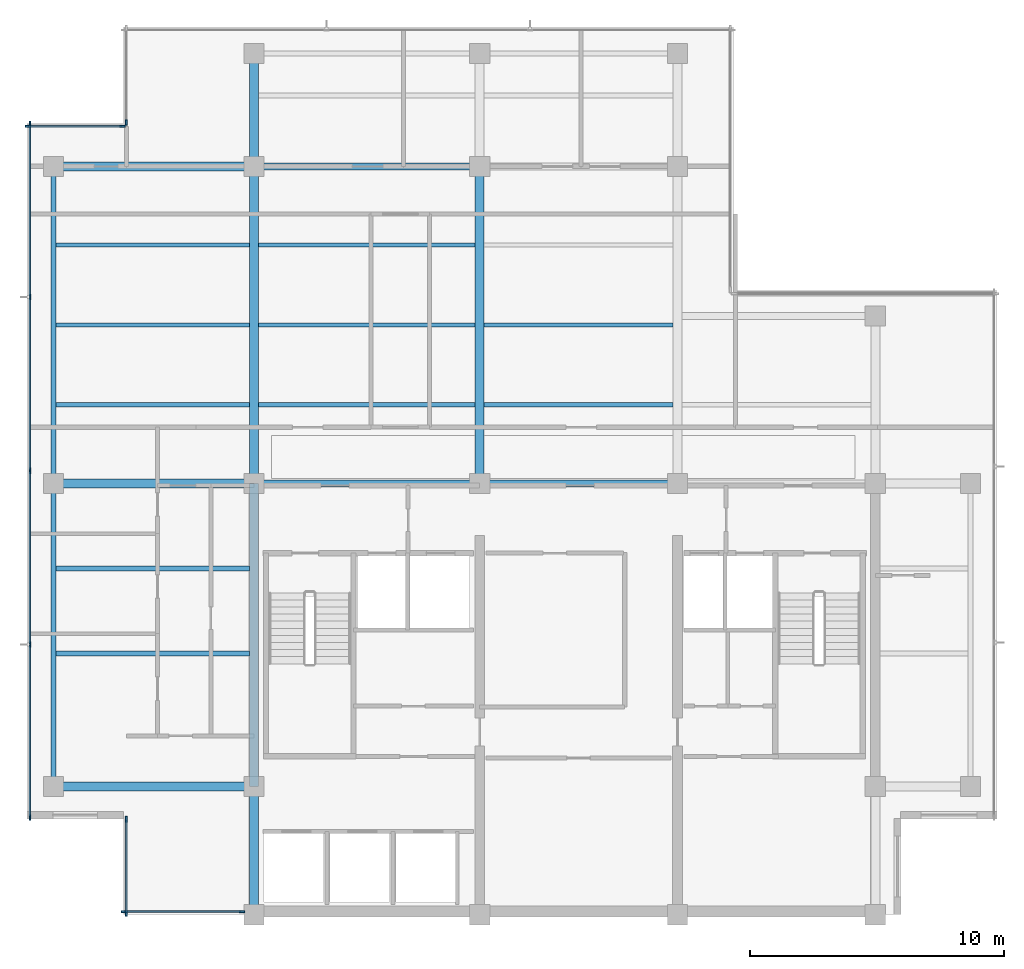
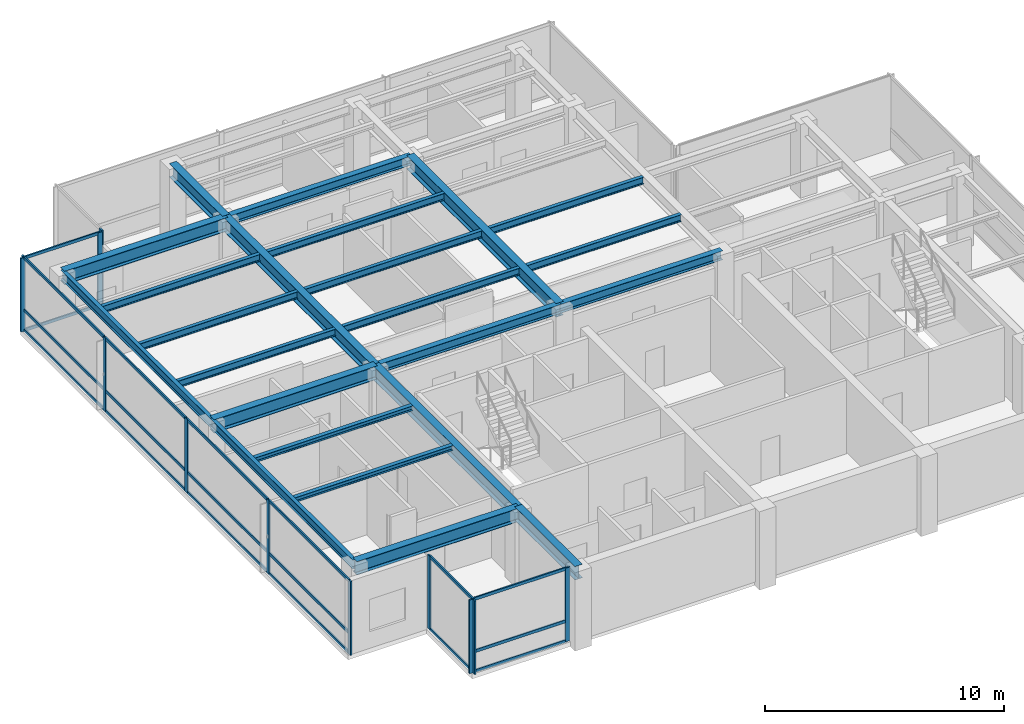
# One storey, part 2 of 11: 31 members, 23 beams, 5 elements without a shape of their own.
"""IFC4 building model written with IfcOpenShell, lengths in metres."""

from ifc_helpers import new_model, si_unit, direction, frame, origin, origin_2d, place, context, subcontext, project, spatial, rectangle, i_section, extrude, material, layer, layer_set, material_profile, profile_set, type_object, element, aggregate, save


model = new_model("IFC4")

# Units and contexts
model_context = context("Model", 3, precision=1e-05, world=origin(), true_north=direction((0.0, 1.0)))
body_context = subcontext(model_context, "Body", "Model", "MODEL_VIEW")
ifc_project = project(units=[si_unit("LENGTHUNIT", "METRE"), si_unit("AREAUNIT", "SQUARE_METRE"), si_unit("VOLUMEUNIT", "CUBIC_METRE"), si_unit("PLANEANGLEUNIT", "RADIAN"), si_unit("MASSUNIT", "GRAM", prefix="KILO")], contexts=[model_context])

# Site, building, storey
site_placement = place(None, origin())
site = spatial("IfcSite", under=ifc_project, at=site_placement, CompositionType="ELEMENT")
building_placement = place(site_placement, origin())
building = spatial("IfcBuilding", under=site, at=building_placement, Name="Qalmaran Belvedere Hotel", CompositionType="ELEMENT")
storey_placement = place(building_placement, frame((0.0, 0.0, 289.89990234375)))
storey = spatial("IfcBuildingStorey", under=building, at=storey_placement, Name="L75", CompositionType="ELEMENT", Elevation=289.89990234375)

# Beams
ifc_material_1 = material(Name="Steel S355JR", Category="steel")
ifc_material_profile_1 = material_profile(ifc_material_1, i_section(OverallWidth=0.201904296875, OverallDepth=0.2470703125, WebThickness=0.00732421875, FlangeThickness=0.010986328125, FilletRadius=0.011962890625, at=origin_2d()), Name="W250X49")
ifc_profile_set_1 = profile_set([ifc_material_profile_1], Name="Steel S355JR")
beam_type_1 = type_object("IfcBeamType", Name="BM-JST-W250X49", PredefinedType="JOIST", material=ifc_profile_set_1)
for number, where, z_axis, x_axis, name in (
    (1, (12.493896484375, 13.800048828125, 3.63671875), (1.0, 0.0, 0.0), (0.0, 1.0, 0.0), "L75 West Wing Joist 035"),
    (2, (12.493896484375, 17.14990234375, 3.63671875), (1.0, 0.0, 0.0), (0.0, 1.0, 0.0), "L75 West Wing Joist 037"),
):
    element("IfcBeam", number, at=place(storey_placement, frame(where, z_axis=z_axis, x_axis=x_axis)), inside=storey, type_object=beam_type_1, Name=name, PredefinedType="JOIST", context=body_context, shape_type="SweptSolid", body=[
        extrude(i_section(OverallWidth=0.201904296875, OverallDepth=0.2470703125, WebThickness=0.00732421875, FlangeThickness=0.010986328125, FilletRadius=0.011962890625, at=origin_2d()), origin(), (0.0, 0.0, 1.0), 7.630615234375),
    ])
ifc_material_profile_2 = material_profile(ifc_material_1, i_section(OverallWidth=0.172119140625, OverallDepth=0.35791015625, WebThickness=0.0078125, FlangeThickness=0.01318359375, FilletRadius=0.014892578125, at=origin_2d()), Name="W360X57")
ifc_profile_set_2 = profile_set([ifc_material_profile_2], Name="Steel S355JR")
beam_type_2 = type_object("IfcBeamType", Name="BM-SB4-W360X57", PredefinedType="BEAM", material=ifc_profile_set_2)
beam_1_placement = place(storey_placement, frame((12.493896484375, 23.60009765625, 3.5810546875), z_axis=(1.0, 0.0, 0.0), x_axis=(0.0, 1.0, 0.0)))
element("IfcBeam", 3, at=beam_1_placement, inside=storey, type_object=beam_type_2, Name="L75 West Secondary Beam 024", PredefinedType="BEAM", context=body_context, shape_type="SweptSolid", body=[
    extrude(i_section(OverallWidth=0.172119140625, OverallDepth=0.35791015625, WebThickness=0.0078125, FlangeThickness=0.01318359375, FilletRadius=0.014892578125, at=origin_2d()), origin(), (0.0, 0.0, 1.0), 7.630615234375),
])
beam_2_placement = place(storey_placement, frame((20.4755859375, 23.60009765625, 3.5810546875), z_axis=(1.0, 0.0, 0.0), x_axis=(0.0, 1.0, 0.0)))
element("IfcBeam", 4, at=beam_2_placement, inside=storey, type_object=beam_type_2, Name="L75 Secondary Floor Beam 025", PredefinedType="BEAM", context=body_context, shape_type="SweptSolid", body=[
    extrude(i_section(OverallWidth=0.172119140625, OverallDepth=0.35791015625, WebThickness=0.0078125, FlangeThickness=0.01318359375, FilletRadius=0.014892578125, at=origin_2d()), origin(), (0.0, 0.0, 1.0), 8.548828125),
])
beam_3_placement = place(storey_placement, frame((29.37548828125, 23.60009765625, 3.5810546875), z_axis=(1.0, 0.0, 0.0), x_axis=(0.0, 1.0, 0.0)))
element("IfcBeam", 5, at=beam_3_placement, inside=storey, type_object=beam_type_2, Name="L75 Secondary Floor Beam 026", PredefinedType="BEAM", context=body_context, shape_type="SweptSolid", body=[
    extrude(i_section(OverallWidth=0.172119140625, OverallDepth=0.35791015625, WebThickness=0.0078125, FlangeThickness=0.01318359375, FilletRadius=0.014892578125, at=origin_2d()), origin(), (0.0, 0.0, 1.0), 7.448974609375),
])
beam_4_placement = place(storey_placement, frame((12.493896484375, 26.75, 3.5810546875), z_axis=(1.0, 0.0, 0.0), x_axis=(0.0, 1.0, 0.0)))
element("IfcBeam", 6, at=beam_4_placement, inside=storey, type_object=beam_type_2, Name="L75 West Secondary Beam 028", PredefinedType="BEAM", context=body_context, shape_type="SweptSolid", body=[
    extrude(i_section(OverallWidth=0.172119140625, OverallDepth=0.35791015625, WebThickness=0.0078125, FlangeThickness=0.01318359375, FilletRadius=0.014892578125, at=origin_2d()), origin(), (0.0, 0.0, 1.0), 7.630615234375),
])
beam_5_placement = place(storey_placement, frame((20.4755859375, 26.75, 3.5810546875), z_axis=(1.0, 0.0, 0.0), x_axis=(0.0, 1.0, 0.0)))
element("IfcBeam", 7, at=beam_5_placement, inside=storey, type_object=beam_type_2, Name="L75 Secondary Floor Beam 029", PredefinedType="BEAM", context=body_context, shape_type="SweptSolid", body=[
    extrude(i_section(OverallWidth=0.172119140625, OverallDepth=0.35791015625, WebThickness=0.0078125, FlangeThickness=0.01318359375, FilletRadius=0.014892578125, at=origin_2d()), origin(), (0.0, 0.0, 1.0), 8.548828125),
])
beam_6_placement = place(storey_placement, frame((29.37548828125, 26.75, 3.5810546875), z_axis=(1.0, 0.0, 0.0), x_axis=(0.0, 1.0, 0.0)))
element("IfcBeam", 8, at=beam_6_placement, inside=storey, type_object=beam_type_2, Name="L75 Secondary Floor Beam 030", PredefinedType="BEAM", context=body_context, shape_type="SweptSolid", body=[
    extrude(i_section(OverallWidth=0.172119140625, OverallDepth=0.35791015625, WebThickness=0.0078125, FlangeThickness=0.01318359375, FilletRadius=0.014892578125, at=origin_2d()), origin(), (0.0, 0.0, 1.0), 7.448974609375),
])
beam_7_placement = place(storey_placement, frame((12.493896484375, 29.89990234375, 3.5810546875), z_axis=(1.0, 0.0, 0.0), x_axis=(0.0, 1.0, 0.0)))
element("IfcBeam", 9, at=beam_7_placement, inside=storey, type_object=beam_type_2, Name="L75 West Secondary Beam 032", PredefinedType="BEAM", context=body_context, shape_type="SweptSolid", body=[
    extrude(i_section(OverallWidth=0.172119140625, OverallDepth=0.35791015625, WebThickness=0.0078125, FlangeThickness=0.01318359375, FilletRadius=0.014892578125, at=origin_2d()), origin(), (0.0, 0.0, 1.0), 7.630615234375),
])
beam_8_placement = place(storey_placement, frame((20.4755859375, 29.89990234375, 3.5810546875), z_axis=(1.0, 0.0, 0.0), x_axis=(0.0, 1.0, 0.0)))
element("IfcBeam", 10, at=beam_8_placement, inside=storey, type_object=beam_type_2, Name="L75 Secondary Floor Beam 033", PredefinedType="BEAM", context=body_context, shape_type="SweptSolid", body=[
    extrude(i_section(OverallWidth=0.172119140625, OverallDepth=0.35791015625, WebThickness=0.0078125, FlangeThickness=0.01318359375, FilletRadius=0.014892578125, at=origin_2d()), origin(), (0.0, 0.0, 1.0), 8.548828125),
])
ifc_material_profile_3 = material_profile(ifc_material_1, i_section(OverallWidth=0.19189453125, OverallDepth=0.462890625, WebThickness=0.010498046875, FlangeThickness=0.017578125, FilletRadius=0.01611328125, at=origin_2d()), Name="W460X89")
ifc_profile_set_3 = profile_set([ifc_material_profile_3], Name="Steel S355JR")
beam_type_3 = type_object("IfcBeamType", Name="BM-SP2-W460X89", PredefinedType="SPANDREL", material=ifc_profile_set_3)
beam_9_placement = place(storey_placement, frame((12.39990234375, 8.550048828125, 3.528564453125), z_axis=(0.0, 1.0, 0.0), x_axis=(-1.0, 0.0, 0.0)))
element("IfcBeam", 11, at=beam_9_placement, inside=storey, type_object=beam_type_3, Name="L75 Perimeter Spandrel 01", PredefinedType="SPANDREL", context=body_context, shape_type="SweptSolid", body=[
    extrude(i_section(OverallWidth=0.19189453125, OverallDepth=0.462890625, WebThickness=0.010498046875, FlangeThickness=0.017578125, FilletRadius=0.01611328125, at=origin_2d()), origin(), (0.0, 0.0, 1.0), 11.949951171875),
])
beam_10_placement = place(storey_placement, frame((12.39990234375, 20.5, 3.528564453125), z_axis=(0.0, 1.0, 0.0), x_axis=(-1.0, 0.0, 0.0)))
element("IfcBeam", 12, at=beam_10_placement, inside=storey, type_object=beam_type_3, Name="L75 Perimeter Spandrel 02", PredefinedType="SPANDREL", context=body_context, shape_type="SweptSolid", body=[
    extrude(i_section(OverallWidth=0.19189453125, OverallDepth=0.462890625, WebThickness=0.010498046875, FlangeThickness=0.017578125, FilletRadius=0.01611328125, at=origin_2d()), origin(), (0.0, 0.0, 1.0), 12.5),
])
ifc_material_profile_4 = material_profile(ifc_material_1, i_section(OverallWidth=0.35498046875, OverallDepth=0.695068359375, WebThickness=0.015380859375, FlangeThickness=0.02490234375, FilletRadius=0.02197265625, at=origin_2d()), Name="W690X217")
ifc_profile_set_4 = profile_set([ifc_material_profile_4], Name="Steel S355JR")
beam_type_4 = type_object("IfcBeamType", Name="BM-Z1-W690X217", PredefinedType="USERDEFINED", material=ifc_profile_set_4)
beam_11_placement = place(storey_placement, frame((20.300048828125, 20.5, 3.41259765625), z_axis=(0.0, 1.0, 0.0), x_axis=(-1.0, 0.0, 0.0)))
element("IfcBeam", 13, at=beam_11_placement, inside=storey, type_object=beam_type_4, Name="L75 Mid-Plate N-S Girder 11", ObjectType="GIRDER", PredefinedType="USERDEFINED", context=body_context, shape_type="SweptSolid", body=[
    extrude(i_section(OverallWidth=0.35498046875, OverallDepth=0.695068359375, WebThickness=0.015380859375, FlangeThickness=0.02490234375, FilletRadius=0.02197265625, at=origin_2d()), origin(), (0.0, 0.0, 1.0), 12.5),
])
beam_12_placement = place(storey_placement, frame((20.300048828125, 33.0, 3.41259765625), z_axis=(0.0, 1.0, 0.0), x_axis=(-1.0, 0.0, 0.0)))
element("IfcBeam", 14, at=beam_12_placement, inside=storey, type_object=beam_type_4, Name="L75 North Bay Girder 12", ObjectType="GIRDER", PredefinedType="USERDEFINED", context=body_context, shape_type="SweptSolid", body=[
    extrude(i_section(OverallWidth=0.35498046875, OverallDepth=0.695068359375, WebThickness=0.015380859375, FlangeThickness=0.02490234375, FilletRadius=0.02197265625, at=origin_2d()), origin(), (0.0, 0.0, 1.0), 4.449951171875),
])
beam_13_placement = place(storey_placement, frame((29.199951171875, 20.5, 3.41259765625), z_axis=(0.0, 1.0, 0.0), x_axis=(-1.0, 0.0, 0.0)))
element("IfcBeam", 15, at=beam_13_placement, inside=storey, type_object=beam_type_4, Name="L75 Mid-Plate N-S Girder 13", ObjectType="GIRDER", PredefinedType="USERDEFINED", context=body_context, shape_type="SweptSolid", body=[
    extrude(i_section(OverallWidth=0.35498046875, OverallDepth=0.695068359375, WebThickness=0.015380859375, FlangeThickness=0.02490234375, FilletRadius=0.02197265625, at=origin_2d()), origin(), (0.0, 0.0, 1.0), 12.5),
])
for number, where, z_axis, x_axis, name in (
    (16, (12.39990234375, 8.550048828125, 3.41259765625), (1.0, 0.0, 0.0), (0.0, 1.0, 0.0), "L75 West Wing Girder 19"),
    (17, (12.39990234375, 20.5, 3.41259765625), (1.0, 0.0, 0.0), (0.0, 1.0, 0.0), "L75 West Wing Girder 20"),
    (18, (12.39990234375, 33.0, 3.41259765625), (1.0, 0.0, 0.0), (0.0, 1.0, 0.0), "L75 West Wing Girder 21"),
):
    element("IfcBeam", number, at=place(storey_placement, frame(where, z_axis=z_axis, x_axis=x_axis)), inside=storey, type_object=beam_type_4, Name=name, ObjectType="GIRDER", PredefinedType="USERDEFINED", context=body_context, shape_type="SweptSolid", body=[
        extrude(i_section(OverallWidth=0.35498046875, OverallDepth=0.695068359375, WebThickness=0.015380859375, FlangeThickness=0.02490234375, FilletRadius=0.02197265625, at=origin_2d()), origin(), (0.0, 0.0, 1.0), 7.900146484375),
    ])
beam_14_placement = place(storey_placement, frame((20.300048828125, 3.5, 3.41259765625), z_axis=(0.0, 1.0, 0.0), x_axis=(-1.0, 0.0, 0.0)))
element("IfcBeam", 19, at=beam_14_placement, inside=storey, type_object=beam_type_4, Name="L75 West Core Edge Girder A", ObjectType="GIRDER", PredefinedType="USERDEFINED", context=body_context, shape_type="SweptSolid", body=[
    extrude(i_section(OverallWidth=0.35498046875, OverallDepth=0.695068359375, WebThickness=0.015380859375, FlangeThickness=0.02490234375, FilletRadius=0.02197265625, at=origin_2d()), origin(), (0.0, 0.0, 1.0), 5.050048828125),
])
beam_15_placement = place(storey_placement, frame((20.300048828125, 8.550048828125, 3.41259765625), z_axis=(0.0, 1.0, 0.0), x_axis=(-1.0, 0.0, 0.0)))
element("IfcBeam", 20, at=beam_15_placement, inside=storey, type_object=beam_type_4, Name="L75 West Core Edge Girder B", ObjectType="GIRDER", PredefinedType="USERDEFINED", context=body_context, shape_type="SweptSolid", body=[
    extrude(i_section(OverallWidth=0.35498046875, OverallDepth=0.695068359375, WebThickness=0.015380859375, FlangeThickness=0.02490234375, FilletRadius=0.02197265625, at=origin_2d()), origin(), (0.0, 0.0, 1.0), 11.949951171875),
])
ifc_material_profile_5 = material_profile(ifc_material_1, i_section(OverallWidth=0.280029296875, OverallDepth=0.462890625, WebThickness=0.0107421875, FlangeThickness=0.017333984375, FilletRadius=0.01611328125, at=origin_2d()), Name="W460X113")
ifc_profile_set_5 = profile_set([ifc_material_profile_5], Name="Steel S355JR")
beam_type_5 = type_object("IfcBeamType", Name="BM-Z5-W460X113", PredefinedType="USERDEFINED", material=ifc_profile_set_5)
beam_16_placement = place(storey_placement, frame((20.300048828125, 20.5, 3.528564453125), z_axis=(1.0, 0.0, 0.0), x_axis=(0.0, 1.0, 0.0)))
element("IfcBeam", 21, at=beam_16_placement, inside=storey, type_object=beam_type_5, Name="L75 Interior E-W Girder 06", ObjectType="GIRDER", PredefinedType="USERDEFINED", context=body_context, shape_type="SweptSolid", body=[
    extrude(i_section(OverallWidth=0.280029296875, OverallDepth=0.462890625, WebThickness=0.0107421875, FlangeThickness=0.017333984375, FilletRadius=0.01611328125, at=origin_2d()), origin(), (0.0, 0.0, 1.0), 8.89990234375),
])
beam_17_placement = place(storey_placement, frame((29.199951171875, 20.5, 3.528564453125), z_axis=(1.0, 0.0, 0.0), x_axis=(0.0, 1.0, 0.0)))
element("IfcBeam", 22, at=beam_17_placement, inside=storey, type_object=beam_type_5, Name="L75 Interior E-W Girder 07", ObjectType="GIRDER", PredefinedType="USERDEFINED", context=body_context, shape_type="SweptSolid", body=[
    extrude(i_section(OverallWidth=0.280029296875, OverallDepth=0.462890625, WebThickness=0.0107421875, FlangeThickness=0.017333984375, FilletRadius=0.01611328125, at=origin_2d()), origin(), (0.0, 0.0, 1.0), 7.800048828125),
])
beam_18_placement = place(storey_placement, frame((20.300048828125, 33.0, 3.528564453125), z_axis=(1.0, 0.0, 0.0), x_axis=(0.0, 1.0, 0.0)))
element("IfcBeam", 23, at=beam_18_placement, inside=storey, type_object=beam_type_5, Name="L75 Interior E-W Girder 09", ObjectType="GIRDER", PredefinedType="USERDEFINED", context=body_context, shape_type="SweptSolid", body=[
    extrude(i_section(OverallWidth=0.280029296875, OverallDepth=0.462890625, WebThickness=0.0107421875, FlangeThickness=0.017333984375, FilletRadius=0.01611328125, at=origin_2d()), origin(), (0.0, 0.0, 1.0), 8.89990234375),
])

# Curtain wall, members
ifc_material_2 = material(Name="Anodised Bronze Aluminium", Category="aluminium")
ifc_layer = layer(ifc_material_2, 0.205078125, Name="Anodised Bronze Aluminium")
ifc_layer_set = layer_set([ifc_layer], Name="Anodised Bronze Aluminium")
curtain_wall_type = type_object("IfcCurtainWallType", Name="CW7-CROWN-BELVEDERE", PredefinedType="NOTDEFINED", material=ifc_layer_set)
curtain_wall_1_placement = place(storey_placement, origin())
curtain_wall_1 = element("IfcCurtainWall", 24, at=curtain_wall_1_placement, inside=storey, type_object=curtain_wall_type, Name="L75 Curtain Wall CW7", PredefinedType="NOTDEFINED")
ifc_material_profile_6 = material_profile(ifc_material_2, rectangle(XDim=0.074951171875, YDim=0.219970703125, at=origin_2d()), Name="CWM75X220")
ifc_profile_set_6 = profile_set([ifc_material_profile_6], Name="Anodised Bronze Aluminium")
member_type_1 = type_object("IfcMemberType", Name="CWM-75X220", PredefinedType="MULLION", material=ifc_profile_set_6)
member_1_placement = place(storey_placement, frame((15.1875, 3.6201171875, 0.0), z_axis=(0.0, 0.0, 1.0), x_axis=(0.0, 1.0, 0.0)))
member_1 = element("IfcMember", 25, at=member_1_placement, type_object=member_type_1, Name="CW7 mullion 1", PredefinedType="MULLION", context=body_context, shape_type="SweptSolid", body=[
    extrude(rectangle(XDim=0.074951171875, YDim=0.219970703125, at=origin_2d()), origin(), (0.0, 0.0, 1.0), 3.760009765625),
])
member_2_placement = place(storey_placement, frame((19.822509765625, 3.6201171875, 0.0), z_axis=(0.0, 0.0, 1.0), x_axis=(0.0, 1.0, 0.0)))
member_2 = element("IfcMember", 26, at=member_2_placement, type_object=member_type_1, Name="CW7 mullion 2", PredefinedType="MULLION", context=body_context, shape_type="SweptSolid", body=[
    extrude(rectangle(XDim=0.074951171875, YDim=0.219970703125, at=origin_2d()), origin(), (0.0, 0.0, 1.0), 3.760009765625),
])

# Curtain wall, member
curtain_wall_2_placement = place(storey_placement, origin())
curtain_wall_2 = element("IfcCurtainWall", 27, at=curtain_wall_2_placement, inside=storey, type_object=curtain_wall_type, Name="L75 Curtain Wall CW7", PredefinedType="NOTDEFINED")
member_3_placement = place(storey_placement, frame((15.27001953125, 34.737548828125, 0.0), z_axis=(0.0, 0.0, 1.0), x_axis=(1.0, 0.0, 0.0)))
member_3 = element("IfcMember", 28, at=member_3_placement, type_object=member_type_1, Name="CW7 mullion 2", PredefinedType="MULLION", context=body_context, shape_type="SweptSolid", body=[
    extrude(rectangle(XDim=0.074951171875, YDim=0.219970703125, at=origin_2d()), origin(), (0.0, 0.0, 1.0), 3.760009765625),
])
aggregate(curtain_wall_2, [member_3])

# Curtain wall, members
curtain_wall_3_placement = place(storey_placement, origin())
curtain_wall_3 = element("IfcCurtainWall", 29, at=curtain_wall_3_placement, inside=storey, type_object=curtain_wall_type, Name="L75 Curtain Wall CW7", PredefinedType="NOTDEFINED")
member_4_placement = place(storey_placement, frame((15.112548828125, 34.580078125, 0.0), z_axis=(0.0, 0.0, 1.0), x_axis=(0.0, -1.0, 0.0)))
member_4 = element("IfcMember", 30, at=member_4_placement, type_object=member_type_1, Name="CW7 mullion 1", PredefinedType="MULLION", context=body_context, shape_type="SweptSolid", body=[
    extrude(rectangle(XDim=0.074951171875, YDim=0.219970703125, at=origin_2d()), origin(), (0.0, 0.0, 1.0), 3.760009765625),
])
member_5_placement = place(storey_placement, frame((11.387451171875, 34.580078125, 0.0), z_axis=(0.0, 0.0, 1.0), x_axis=(0.0, -1.0, 0.0)))
member_5 = element("IfcMember", 31, at=member_5_placement, type_object=member_type_1, Name="CW7 mullion 2", PredefinedType="MULLION", context=body_context, shape_type="SweptSolid", body=[
    extrude(rectangle(XDim=0.074951171875, YDim=0.219970703125, at=origin_2d()), origin(), (0.0, 0.0, 1.0), 3.760009765625),
])

curtain_wall_4_placement = place(storey_placement, origin())
curtain_wall_4 = element("IfcCurtainWall", 32, at=curtain_wall_4_placement, inside=storey, type_object=curtain_wall_type, Name="L75 Curtain Wall CW7", PredefinedType="NOTDEFINED")
member_6_placement = place(storey_placement, frame((11.469970703125, 34.66259765625, 0.0), z_axis=(0.0, 0.0, 1.0), x_axis=(1.0, 0.0, 0.0)))
member_6 = element("IfcMember", 33, at=member_6_placement, type_object=member_type_1, Name="CW7 mullion 1", PredefinedType="MULLION", context=body_context, shape_type="SweptSolid", body=[
    extrude(rectangle(XDim=0.074951171875, YDim=0.219970703125, at=origin_2d()), origin(), (0.0, 0.0, 1.0), 3.760009765625),
])
member_7_placement = place(storey_placement, frame((11.469970703125, 27.85009765625, 0.0), z_axis=(0.0, 0.0, 1.0), x_axis=(1.0, 0.0, 0.0)))
member_7 = element("IfcMember", 34, at=member_7_placement, type_object=member_type_1, Name="CW7 mullion 2", PredefinedType="MULLION", context=body_context, shape_type="SweptSolid", body=[
    extrude(rectangle(XDim=0.074951171875, YDim=0.219970703125, at=origin_2d()), origin(), (0.0, 0.0, 1.0), 3.760009765625),
])
member_8_placement = place(storey_placement, frame((11.469970703125, 21.0, 0.0), z_axis=(0.0, 0.0, 1.0), x_axis=(1.0, 0.0, 0.0)))
member_8 = element("IfcMember", 35, at=member_8_placement, type_object=member_type_1, Name="CW7 mullion 3", PredefinedType="MULLION", context=body_context, shape_type="SweptSolid", body=[
    extrude(rectangle(XDim=0.074951171875, YDim=0.219970703125, at=origin_2d()), origin(), (0.0, 0.0, 1.0), 3.760009765625),
])
member_9_placement = place(storey_placement, frame((11.469970703125, 14.14990234375, 0.0), z_axis=(0.0, 0.0, 1.0), x_axis=(1.0, 0.0, 0.0)))
member_9 = element("IfcMember", 36, at=member_9_placement, type_object=member_type_1, Name="CW7 mullion 4", PredefinedType="MULLION", context=body_context, shape_type="SweptSolid", body=[
    extrude(rectangle(XDim=0.074951171875, YDim=0.219970703125, at=origin_2d()), origin(), (0.0, 0.0, 1.0), 3.760009765625),
])
member_10_placement = place(storey_placement, frame((11.469970703125, 7.33740234375, 0.0), z_axis=(0.0, 0.0, 1.0), x_axis=(1.0, 0.0, 0.0)))
member_10 = element("IfcMember", 37, at=member_10_placement, type_object=member_type_1, Name="CW7 mullion 5", PredefinedType="MULLION", context=body_context, shape_type="SweptSolid", body=[
    extrude(rectangle(XDim=0.074951171875, YDim=0.219970703125, at=origin_2d()), origin(), (0.0, 0.0, 1.0), 3.760009765625),
])

curtain_wall_5_placement = place(storey_placement, origin())
curtain_wall_5 = element("IfcCurtainWall", 38, at=curtain_wall_5_placement, inside=storey, type_object=curtain_wall_type, Name="L75 Curtain Wall CW7", PredefinedType="NOTDEFINED")
member_11_placement = place(storey_placement, frame((15.27001953125, 7.262451171875, 0.0), z_axis=(0.0, 0.0, 1.0), x_axis=(1.0, 0.0, 0.0)))
member_11 = element("IfcMember", 39, at=member_11_placement, type_object=member_type_1, Name="CW7 mullion 1", PredefinedType="MULLION", context=body_context, shape_type="SweptSolid", body=[
    extrude(rectangle(XDim=0.074951171875, YDim=0.219970703125, at=origin_2d()), origin(), (0.0, 0.0, 1.0), 3.760009765625),
])
member_12_placement = place(storey_placement, frame((15.27001953125, 3.53759765625, 0.0), z_axis=(0.0, 0.0, 1.0), x_axis=(1.0, 0.0, 0.0)))
member_12 = element("IfcMember", 40, at=member_12_placement, type_object=member_type_1, Name="CW7 mullion 2", PredefinedType="MULLION", context=body_context, shape_type="SweptSolid", body=[
    extrude(rectangle(XDim=0.074951171875, YDim=0.219970703125, at=origin_2d()), origin(), (0.0, 0.0, 1.0), 3.760009765625),
])

# Member
ifc_material_profile_7 = material_profile(ifc_material_2, rectangle(XDim=0.070068359375, YDim=0.14990234375, at=origin_2d()), Name="CWT70X150")
ifc_profile_set_7 = profile_set([ifc_material_profile_7], Name="Anodised Bronze Aluminium")
member_type_2 = type_object("IfcMemberType", Name="CWT-70X150", PredefinedType="USERDEFINED", material=ifc_profile_set_7)
member_13_placement = place(storey_placement, frame((15.22509765625, 3.6201171875, 0.03515625), z_axis=(1.0, 0.0, 0.0), x_axis=(0.0, 1.0, 0.0)))
member_13 = element("IfcMember", 41, at=member_13_placement, type_object=member_type_2, Name="CW7 transom 1.1", ObjectType="TRANSOM", PredefinedType="USERDEFINED", context=body_context, shape_type="SweptSolid", body=[
    extrude(rectangle(XDim=0.070068359375, YDim=0.14990234375, at=origin_2d()), origin(), (0.0, 0.0, 1.0), 4.559814453125),
])

member_14_placement = place(storey_placement, frame((15.22509765625, 3.6201171875, 1.052978515625), z_axis=(1.0, 0.0, 0.0), x_axis=(0.0, 1.0, 0.0)))
member_14 = element("IfcMember", 42, at=member_14_placement, type_object=member_type_2, Name="CW7 transom 1.2", ObjectType="TRANSOM", PredefinedType="USERDEFINED", context=body_context, shape_type="SweptSolid", body=[
    extrude(rectangle(XDim=0.070068359375, YDim=0.14990234375, at=origin_2d()), origin(), (0.0, 0.0, 1.0), 4.559814453125),
])

member_15_placement = place(storey_placement, frame((15.22509765625, 3.6201171875, 3.72509765625), z_axis=(1.0, 0.0, 0.0), x_axis=(0.0, 1.0, 0.0)))
member_15 = element("IfcMember", 43, at=member_15_placement, type_object=member_type_2, Name="CW7 transom 1.3", ObjectType="TRANSOM", PredefinedType="USERDEFINED", context=body_context, shape_type="SweptSolid", body=[
    extrude(rectangle(XDim=0.070068359375, YDim=0.14990234375, at=origin_2d()), origin(), (0.0, 0.0, 1.0), 4.559814453125),
])

aggregate(curtain_wall_1, [member_1, member_2, member_13, member_14, member_15])

member_16_placement = place(storey_placement, frame((15.074951171875, 34.580078125, 0.03515625), z_axis=(-1.0, 0.0, 0.0), x_axis=(0.0, -1.0, 0.0)))
member_16 = element("IfcMember", 44, at=member_16_placement, type_object=member_type_2, Name="CW7 transom 1.1", ObjectType="TRANSOM", PredefinedType="USERDEFINED", context=body_context, shape_type="SweptSolid", body=[
    extrude(rectangle(XDim=0.070068359375, YDim=0.14990234375, at=origin_2d()), origin(), (0.0, 0.0, 1.0), 3.64990234375),
])

member_17_placement = place(storey_placement, frame((15.074951171875, 34.580078125, 3.72509765625), z_axis=(-1.0, 0.0, 0.0), x_axis=(0.0, -1.0, 0.0)))
member_17 = element("IfcMember", 45, at=member_17_placement, type_object=member_type_2, Name="CW7 transom 1.2", ObjectType="TRANSOM", PredefinedType="USERDEFINED", context=body_context, shape_type="SweptSolid", body=[
    extrude(rectangle(XDim=0.070068359375, YDim=0.14990234375, at=origin_2d()), origin(), (0.0, 0.0, 1.0), 3.64990234375),
])

aggregate(curtain_wall_3, [member_4, member_5, member_16, member_17])

member_18_placement = place(storey_placement, frame((11.469970703125, 34.625, 0.03515625), z_axis=(0.0, -1.0, 0.0), x_axis=(1.0, 0.0, 0.0)))
member_18 = element("IfcMember", 46, at=member_18_placement, type_object=member_type_2, Name="CW7 transom 1.1", ObjectType="TRANSOM", PredefinedType="USERDEFINED", context=body_context, shape_type="SweptSolid", body=[
    extrude(rectangle(XDim=0.070068359375, YDim=0.14990234375, at=origin_2d()), origin(), (0.0, 0.0, 1.0), 6.737548828125),
])

member_19_placement = place(storey_placement, frame((11.469970703125, 34.625, 1.052978515625), z_axis=(0.0, -1.0, 0.0), x_axis=(1.0, 0.0, 0.0)))
member_19 = element("IfcMember", 47, at=member_19_placement, type_object=member_type_2, Name="CW7 transom 1.2", ObjectType="TRANSOM", PredefinedType="USERDEFINED", context=body_context, shape_type="SweptSolid", body=[
    extrude(rectangle(XDim=0.070068359375, YDim=0.14990234375, at=origin_2d()), origin(), (0.0, 0.0, 1.0), 6.737548828125),
])

member_20_placement = place(storey_placement, frame((11.469970703125, 34.625, 3.72509765625), z_axis=(0.0, -1.0, 0.0), x_axis=(1.0, 0.0, 0.0)))
member_20 = element("IfcMember", 48, at=member_20_placement, type_object=member_type_2, Name="CW7 transom 1.3", ObjectType="TRANSOM", PredefinedType="USERDEFINED", context=body_context, shape_type="SweptSolid", body=[
    extrude(rectangle(XDim=0.070068359375, YDim=0.14990234375, at=origin_2d()), origin(), (0.0, 0.0, 1.0), 6.737548828125),
])

member_21_placement = place(storey_placement, frame((11.469970703125, 27.8125, 0.03515625), z_axis=(0.0, -1.0, 0.0), x_axis=(1.0, 0.0, 0.0)))
member_21 = element("IfcMember", 49, at=member_21_placement, type_object=member_type_2, Name="CW7 transom 2.1", ObjectType="TRANSOM", PredefinedType="USERDEFINED", context=body_context, shape_type="SweptSolid", body=[
    extrude(rectangle(XDim=0.070068359375, YDim=0.14990234375, at=origin_2d()), origin(), (0.0, 0.0, 1.0), 6.77490234375),
])

member_22_placement = place(storey_placement, frame((11.469970703125, 27.8125, 1.052978515625), z_axis=(0.0, -1.0, 0.0), x_axis=(1.0, 0.0, 0.0)))
member_22 = element("IfcMember", 50, at=member_22_placement, type_object=member_type_2, Name="CW7 transom 2.2", ObjectType="TRANSOM", PredefinedType="USERDEFINED", context=body_context, shape_type="SweptSolid", body=[
    extrude(rectangle(XDim=0.070068359375, YDim=0.14990234375, at=origin_2d()), origin(), (0.0, 0.0, 1.0), 6.77490234375),
])

member_23_placement = place(storey_placement, frame((11.469970703125, 27.8125, 3.72509765625), z_axis=(0.0, -1.0, 0.0), x_axis=(1.0, 0.0, 0.0)))
member_23 = element("IfcMember", 51, at=member_23_placement, type_object=member_type_2, Name="CW7 transom 2.3", ObjectType="TRANSOM", PredefinedType="USERDEFINED", context=body_context, shape_type="SweptSolid", body=[
    extrude(rectangle(XDim=0.070068359375, YDim=0.14990234375, at=origin_2d()), origin(), (0.0, 0.0, 1.0), 6.77490234375),
])

member_24_placement = place(storey_placement, frame((11.469970703125, 20.96240234375, 0.03515625), z_axis=(0.0, -1.0, 0.0), x_axis=(1.0, 0.0, 0.0)))
member_24 = element("IfcMember", 52, at=member_24_placement, type_object=member_type_2, Name="CW7 transom 3.1", ObjectType="TRANSOM", PredefinedType="USERDEFINED", context=body_context, shape_type="SweptSolid", body=[
    extrude(rectangle(XDim=0.070068359375, YDim=0.14990234375, at=origin_2d()), origin(), (0.0, 0.0, 1.0), 6.77490234375),
])

member_25_placement = place(storey_placement, frame((11.469970703125, 20.96240234375, 1.052978515625), z_axis=(0.0, -1.0, 0.0), x_axis=(1.0, 0.0, 0.0)))
member_25 = element("IfcMember", 53, at=member_25_placement, type_object=member_type_2, Name="CW7 transom 3.2", ObjectType="TRANSOM", PredefinedType="USERDEFINED", context=body_context, shape_type="SweptSolid", body=[
    extrude(rectangle(XDim=0.070068359375, YDim=0.14990234375, at=origin_2d()), origin(), (0.0, 0.0, 1.0), 6.77490234375),
])

member_26_placement = place(storey_placement, frame((11.469970703125, 20.96240234375, 3.72509765625), z_axis=(0.0, -1.0, 0.0), x_axis=(1.0, 0.0, 0.0)))
member_26 = element("IfcMember", 54, at=member_26_placement, type_object=member_type_2, Name="CW7 transom 3.3", ObjectType="TRANSOM", PredefinedType="USERDEFINED", context=body_context, shape_type="SweptSolid", body=[
    extrude(rectangle(XDim=0.070068359375, YDim=0.14990234375, at=origin_2d()), origin(), (0.0, 0.0, 1.0), 6.77490234375),
])

member_27_placement = place(storey_placement, frame((11.469970703125, 14.112548828125, 0.03515625), z_axis=(0.0, -1.0, 0.0), x_axis=(1.0, 0.0, 0.0)))
member_27 = element("IfcMember", 55, at=member_27_placement, type_object=member_type_2, Name="CW7 transom 4.1", ObjectType="TRANSOM", PredefinedType="USERDEFINED", context=body_context, shape_type="SweptSolid", body=[
    extrude(rectangle(XDim=0.070068359375, YDim=0.14990234375, at=origin_2d()), origin(), (0.0, 0.0, 1.0), 6.737548828125),
])

member_28_placement = place(storey_placement, frame((11.469970703125, 14.112548828125, 1.052978515625), z_axis=(0.0, -1.0, 0.0), x_axis=(1.0, 0.0, 0.0)))
member_28 = element("IfcMember", 56, at=member_28_placement, type_object=member_type_2, Name="CW7 transom 4.2", ObjectType="TRANSOM", PredefinedType="USERDEFINED", context=body_context, shape_type="SweptSolid", body=[
    extrude(rectangle(XDim=0.070068359375, YDim=0.14990234375, at=origin_2d()), origin(), (0.0, 0.0, 1.0), 6.737548828125),
])

member_29_placement = place(storey_placement, frame((11.469970703125, 14.112548828125, 3.72509765625), z_axis=(0.0, -1.0, 0.0), x_axis=(1.0, 0.0, 0.0)))
member_29 = element("IfcMember", 57, at=member_29_placement, type_object=member_type_2, Name="CW7 transom 4.3", ObjectType="TRANSOM", PredefinedType="USERDEFINED", context=body_context, shape_type="SweptSolid", body=[
    extrude(rectangle(XDim=0.070068359375, YDim=0.14990234375, at=origin_2d()), origin(), (0.0, 0.0, 1.0), 6.737548828125),
])

aggregate(curtain_wall_4, [member_6, member_7, member_8, member_9, member_10, member_18, member_19, member_20, member_21, member_22, member_23, member_24, member_25, member_26, member_27, member_28, member_29])

member_30_placement = place(storey_placement, frame((15.27001953125, 7.22509765625, 0.03515625), z_axis=(0.0, -1.0, 0.0), x_axis=(1.0, 0.0, 0.0)))
member_30 = element("IfcMember", 58, at=member_30_placement, type_object=member_type_2, Name="CW7 transom 1.1", ObjectType="TRANSOM", PredefinedType="USERDEFINED", context=body_context, shape_type="SweptSolid", body=[
    extrude(rectangle(XDim=0.070068359375, YDim=0.14990234375, at=origin_2d()), origin(), (0.0, 0.0, 1.0), 3.650146484375),
])

member_31_placement = place(storey_placement, frame((15.27001953125, 7.22509765625, 3.72509765625), z_axis=(0.0, -1.0, 0.0), x_axis=(1.0, 0.0, 0.0)))
member_31 = element("IfcMember", 59, at=member_31_placement, type_object=member_type_2, Name="CW7 transom 1.2", ObjectType="TRANSOM", PredefinedType="USERDEFINED", context=body_context, shape_type="SweptSolid", body=[
    extrude(rectangle(XDim=0.070068359375, YDim=0.14990234375, at=origin_2d()), origin(), (0.0, 0.0, 1.0), 3.650146484375),
])

aggregate(curtain_wall_5, [member_11, member_12, member_30, member_31])

save(model, "model.ifc")
